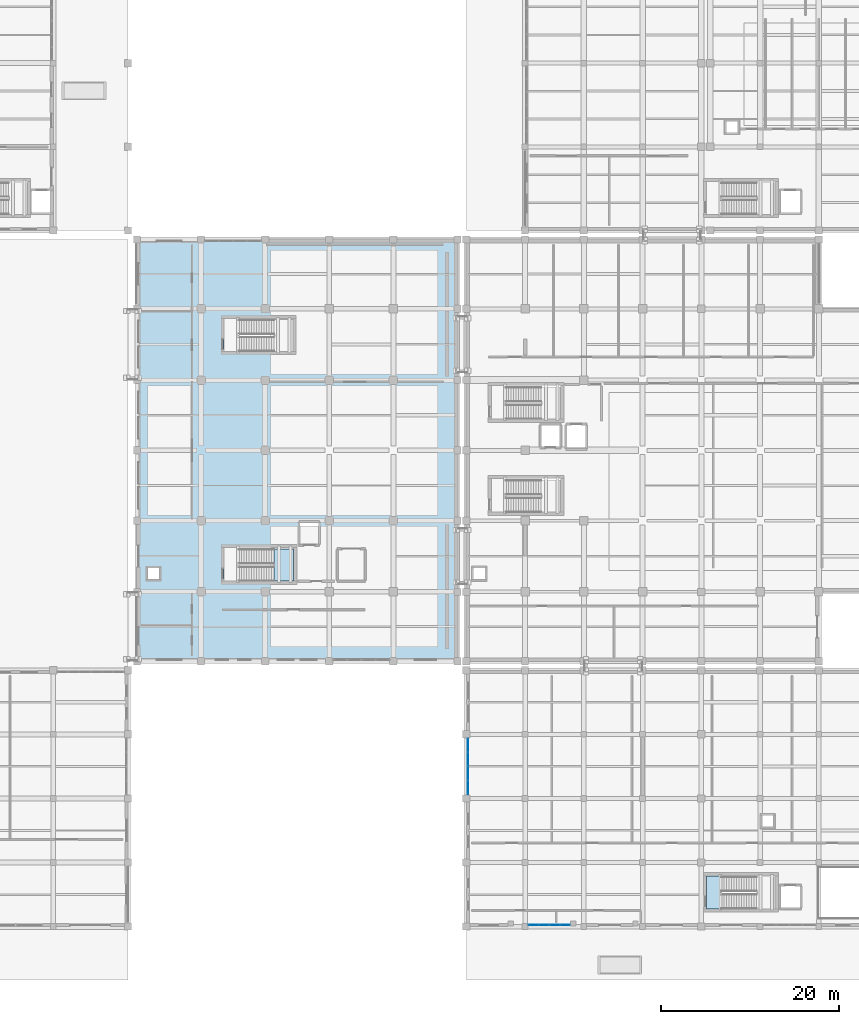
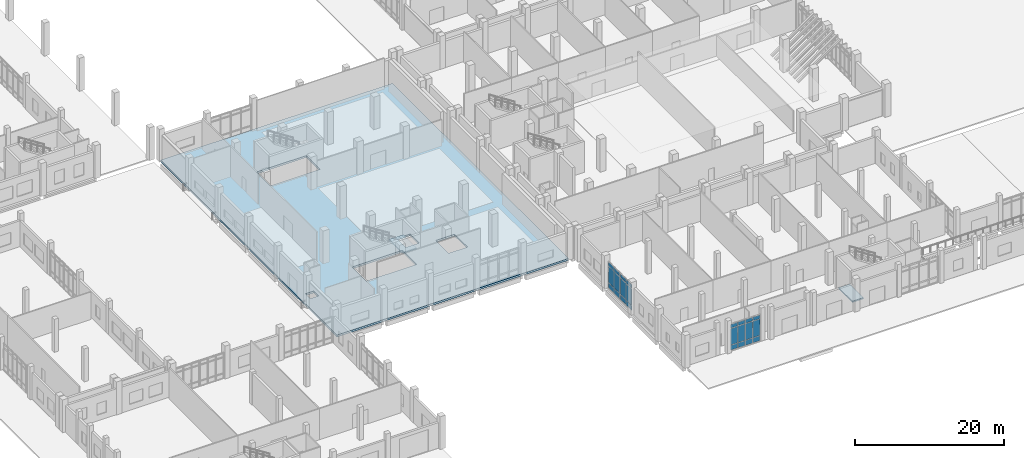
# One storey, part 41 of 79: 24 plates, 3 slabs, 4 elements without a shape of their own.
"""IFC4 building model written with IfcOpenShell, lengths in metres."""

from ifc_helpers import new_model, si_unit, direction, frame, origin, origin_2d, place, context, subcontext, project, spatial, polyline, rectangle, outline, extrude, material, layer, layer_set, type_object, element, aggregate, save


model = new_model("IFC4")

# Units and contexts
model_context = context("Model", 3, precision=1e-05, world=origin(), true_north=direction((0.0, 1.0)))
body_context = subcontext(model_context, "Body", "Model", "MODEL_VIEW")
ifc_project = project(units=[si_unit("LENGTHUNIT", "METRE"), si_unit("AREAUNIT", "SQUARE_METRE"), si_unit("VOLUMEUNIT", "CUBIC_METRE"), si_unit("PLANEANGLEUNIT", "RADIAN"), si_unit("MASSUNIT", "GRAM", prefix="KILO")], contexts=[model_context])

# Site, building, storey
site_placement = place(None, origin())
site = spatial("IfcSite", under=ifc_project, at=site_placement, CompositionType="ELEMENT")
building_placement = place(site_placement, origin())
building = spatial("IfcBuilding", under=site, at=building_placement, Name="Kelarvand Opera House", CompositionType="ELEMENT")
storey_placement = place(building_placement, origin())
storey = spatial("IfcBuildingStorey", under=building, at=storey_placement, Name="L00", CompositionType="ELEMENT", Elevation=0.0)

# Slabs
ifc_material_1 = material(Name="Concrete C35/45", Category="concrete")
ifc_layer_1 = layer(ifc_material_1, 0.219970703125, Name="Concrete C35/45", Category="concrete")
ifc_layer_set_1 = layer_set([ifc_layer_1], Name="Concrete C35/45")
slab_type_1 = type_object("IfcSlabType", Name="Core Stair Entry Landing Slab 220", PredefinedType="LANDING", material=ifc_layer_set_1)
slab_1_placement = place(storey_placement, frame((0.0, 0.0, -0.219970703125)))
element("IfcSlab", 1, at=slab_1_placement, inside=storey, type_object=slab_type_1, Name="C8 Stair Entry Landing L00", PredefinedType="LANDING", context=body_context, shape_type="SweptSolid", body=[
    extrude(outline(polyline([(116.0, 11.0), (117.719970703125, 11.0), (117.719970703125, 14.699951171875), (116.0, 14.699951171875), (116.0, 11.0)])), origin(), (0.0, 0.0, 1.0), 0.219970703125),
])
ifc_material_2 = material(Name="Concrete C40/50", Category="concrete")
ifc_layer_2 = layer(ifc_material_2, 0.320068359375, Name="Concrete C40/50", Category="concrete")
ifc_layer_set_2 = layer_set([ifc_layer_2], Name="Concrete C40/50")
slab_type_2 = type_object("IfcSlabType", Name="Long-Span Hall Floor Slab 320", PredefinedType="FLOOR", material=ifc_layer_set_2)
slab_2_placement = place(storey_placement, frame((0.0, 0.0, -0.320068359375)))
element("IfcSlab", 2, at=slab_2_placement, inside=storey, type_object=slab_type_2, Name="V2 L00 Structural Slab 11", PredefinedType="FLOOR", context=body_context, shape_type="SweptSolid", body=[
    extrude(outline(polyline([(88.0, 38.800048828125), (88.0, 86.199951171875), (52.0, 86.199951171875), (52.0, 38.800048828125), (88.0, 38.800048828125)]), holes=[polyline([(53.199951171875, 49.300048828125), (54.5, 49.300048828125), (54.5, 48.0), (53.199951171875, 48.0), (53.199951171875, 49.300048828125)]), polyline([(74.60009765625, 51.35009765625), (77.550048828125, 51.35009765625), (77.550048828125, 47.89990234375), (74.60009765625, 47.89990234375), (74.60009765625, 51.35009765625)]), polyline([(61.800048828125, 51.60009765625), (69.60009765625, 51.60009765625), (69.60009765625, 47.800048828125), (61.800048828125, 47.800048828125), (61.800048828125, 51.60009765625)]), polyline([(72.39990234375, 54.39990234375), (72.39990234375, 51.949951171875), (70.300048828125, 51.949951171875), (70.300048828125, 54.39990234375), (72.39990234375, 54.39990234375)]), polyline([(69.5, 77.300048828125), (69.5, 73.60009765625), (61.800048828125, 73.60009765625), (61.800048828125, 77.300048828125), (69.5, 77.300048828125)])]), origin(), (0.0, 0.0, 1.0), 0.320068359375),
])

# Curtain wall, plates
ifc_material_3 = material(Name="Thermally broken aluminium and low-E glazing", Category="aluminium")
ifc_layer_3 = layer(ifc_material_3, 0.179931640625, Name="Thermally broken aluminium and low-E glazing", Category="aluminium")
ifc_layer_set_3 = layer_set([ifc_layer_3], Name="Thermally broken aluminium and low-E glazing")
curtain_wall_type_1 = type_object("IfcCurtainWallType", Name="Unitised Low-E Curtain Wall 4755x4350 Mod 1350 CWF-52", PredefinedType="USERDEFINED", material=ifc_layer_set_3)
curtain_wall_1_placement = place(storey_placement, origin())
curtain_wall_1 = element("IfcCurtainWall", 3, at=curtain_wall_1_placement, inside=storey, type_object=curtain_wall_type_1, Name="V6 L00 Curtain Wall CWF-52 (199)", ObjectType="UNITISED CURTAIN WALL", PredefinedType="USERDEFINED")
ifc_material_4 = material(Name="Low-E laminated double glazing", Category="glass")
ifc_layer_4 = layer(ifc_material_4, 0.031982421875, Name="Low-E laminated double glazing", Category="glass")
ifc_layer_set_4 = layer_set([ifc_layer_4], Name="Low-E laminated double glazing")
plate_type = type_object("IfcPlateType", Name="Low-E Argon Double Glazed Curtain Panel 32mm", PredefinedType="CURTAIN_PANEL", material=ifc_layer_set_4)
plate_1_placement = place(storey_placement, frame((100.079345703125, 9.179931640625, 0.06494140625), z_axis=(0.0, 0.0, 1.0), x_axis=(-1.0, 0.0, 0.0)))
plate_1 = element("IfcPlate", 4, at=plate_1_placement, type_object=plate_type, Name="CWF-52 panel 1.1", PredefinedType="CURTAIN_PANEL", context=body_context, shape_type="SweptSolid", body=[
    extrude(rectangle(XDim=1.09130859375, YDim=0.031982421875, at=origin_2d()), origin(), (0.0, 0.0, 1.0), 0.802490234375),
])
plate_2_placement = place(storey_placement, frame((100.079345703125, 9.179931640625, 0.932373046875), z_axis=(0.0, 0.0, 1.0), x_axis=(-1.0, 0.0, 0.0)))
plate_2 = element("IfcPlate", 5, at=plate_2_placement, type_object=plate_type, Name="CWF-52 panel 1.2", PredefinedType="CURTAIN_PANEL", context=body_context, shape_type="SweptSolid", body=[
    extrude(rectangle(XDim=1.09130859375, YDim=0.031982421875, at=origin_2d()), origin(), (0.0, 0.0, 1.0), 2.68505859375),
])
plate_3_placement = place(storey_placement, frame((100.079345703125, 9.179931640625, 3.682373046875), z_axis=(0.0, 0.0, 1.0), x_axis=(-1.0, 0.0, 0.0)))
plate_3 = element("IfcPlate", 6, at=plate_3_placement, type_object=plate_type, Name="CWF-52 panel 1.3", PredefinedType="CURTAIN_PANEL", context=body_context, shape_type="SweptSolid", body=[
    extrude(rectangle(XDim=1.09130859375, YDim=0.031982421875, at=origin_2d()), origin(), (0.0, 0.0, 1.0), 0.6025390625),
])
plate_4_placement = place(storey_placement, frame((98.906982421875, 9.179931640625, 0.06494140625), z_axis=(0.0, 0.0, 1.0), x_axis=(-1.0, 0.0, 0.0)))
plate_4 = element("IfcPlate", 7, at=plate_4_placement, type_object=plate_type, Name="CWF-52 panel 2.1", PredefinedType="CURTAIN_PANEL", context=body_context, shape_type="SweptSolid", body=[
    extrude(rectangle(XDim=1.123779296875, YDim=0.031982421875, at=origin_2d()), origin(), (0.0, 0.0, 1.0), 0.802490234375),
])
plate_5_placement = place(storey_placement, frame((98.906982421875, 9.179931640625, 0.932373046875), z_axis=(0.0, 0.0, 1.0), x_axis=(-1.0, 0.0, 0.0)))
plate_5 = element("IfcPlate", 8, at=plate_5_placement, type_object=plate_type, Name="CWF-52 panel 2.2", PredefinedType="CURTAIN_PANEL", context=body_context, shape_type="SweptSolid", body=[
    extrude(rectangle(XDim=1.123779296875, YDim=0.031982421875, at=origin_2d()), origin(), (0.0, 0.0, 1.0), 2.68505859375),
])
plate_6_placement = place(storey_placement, frame((98.906982421875, 9.179931640625, 3.682373046875), z_axis=(0.0, 0.0, 1.0), x_axis=(-1.0, 0.0, 0.0)))
plate_6 = element("IfcPlate", 9, at=plate_6_placement, type_object=plate_type, Name="CWF-52 panel 2.3", PredefinedType="CURTAIN_PANEL", context=body_context, shape_type="SweptSolid", body=[
    extrude(rectangle(XDim=1.123779296875, YDim=0.031982421875, at=origin_2d()), origin(), (0.0, 0.0, 1.0), 0.6025390625),
])
plate_7_placement = place(storey_placement, frame((97.718017578125, 9.179931640625, 0.06494140625), z_axis=(0.0, 0.0, 1.0), x_axis=(-1.0, 0.0, 0.0)))
plate_7 = element("IfcPlate", 10, at=plate_7_placement, type_object=plate_type, Name="CWF-52 panel 3.1", PredefinedType="CURTAIN_PANEL", context=body_context, shape_type="SweptSolid", body=[
    extrude(rectangle(XDim=1.123779296875, YDim=0.031982421875, at=origin_2d()), origin(), (0.0, 0.0, 1.0), 0.802490234375),
])
plate_8_placement = place(storey_placement, frame((97.718017578125, 9.179931640625, 0.932373046875), z_axis=(0.0, 0.0, 1.0), x_axis=(-1.0, 0.0, 0.0)))
plate_8 = element("IfcPlate", 11, at=plate_8_placement, type_object=plate_type, Name="CWF-52 panel 3.2", PredefinedType="CURTAIN_PANEL", context=body_context, shape_type="SweptSolid", body=[
    extrude(rectangle(XDim=1.123779296875, YDim=0.031982421875, at=origin_2d()), origin(), (0.0, 0.0, 1.0), 2.68505859375),
])
plate_9_placement = place(storey_placement, frame((97.718017578125, 9.179931640625, 3.682373046875), z_axis=(0.0, 0.0, 1.0), x_axis=(-1.0, 0.0, 0.0)))
plate_9 = element("IfcPlate", 12, at=plate_9_placement, type_object=plate_type, Name="CWF-52 panel 3.3", PredefinedType="CURTAIN_PANEL", context=body_context, shape_type="SweptSolid", body=[
    extrude(rectangle(XDim=1.123779296875, YDim=0.031982421875, at=origin_2d()), origin(), (0.0, 0.0, 1.0), 0.6025390625),
])
plate_10_placement = place(storey_placement, frame((96.545654296875, 9.179931640625, 0.06494140625), z_axis=(0.0, 0.0, 1.0), x_axis=(-1.0, 0.0, 0.0)))
plate_10 = element("IfcPlate", 13, at=plate_10_placement, type_object=plate_type, Name="CWF-52 panel 4.1", PredefinedType="CURTAIN_PANEL", context=body_context, shape_type="SweptSolid", body=[
    extrude(rectangle(XDim=1.09130859375, YDim=0.031982421875, at=origin_2d()), origin(), (0.0, 0.0, 1.0), 0.802490234375),
])
plate_11_placement = place(storey_placement, frame((96.545654296875, 9.179931640625, 0.932373046875), z_axis=(0.0, 0.0, 1.0), x_axis=(-1.0, 0.0, 0.0)))
plate_11 = element("IfcPlate", 14, at=plate_11_placement, type_object=plate_type, Name="CWF-52 panel 4.2", PredefinedType="CURTAIN_PANEL", context=body_context, shape_type="SweptSolid", body=[
    extrude(rectangle(XDim=1.09130859375, YDim=0.031982421875, at=origin_2d()), origin(), (0.0, 0.0, 1.0), 2.68505859375),
])
plate_12_placement = place(storey_placement, frame((96.545654296875, 9.179931640625, 3.682373046875), z_axis=(0.0, 0.0, 1.0), x_axis=(-1.0, 0.0, 0.0)))
plate_12 = element("IfcPlate", 15, at=plate_12_placement, type_object=plate_type, Name="CWF-52 panel 4.3", PredefinedType="CURTAIN_PANEL", context=body_context, shape_type="SweptSolid", body=[
    extrude(rectangle(XDim=1.09130859375, YDim=0.031982421875, at=origin_2d()), origin(), (0.0, 0.0, 1.0), 0.6025390625),
])
aggregate(curtain_wall_1, [plate_1, plate_2, plate_3, plate_4, plate_5, plate_6, plate_7, plate_8, plate_9, plate_10, plate_11, plate_12])

ifc_layer_5 = layer(ifc_material_3, 0.179931640625, Name="Thermally broken aluminium and low-E glazing", Category="aluminium")
ifc_layer_set_5 = layer_set([ifc_layer_5], Name="Thermally broken aluminium and low-E glazing")
curtain_wall_type_2 = type_object("IfcCurtainWallType", Name="Unitised Low-E Curtain Wall 3176x4350 Mod 1350 CWF-09", PredefinedType="USERDEFINED", material=ifc_layer_set_5)
curtain_wall_2_placement = place(storey_placement, origin())
curtain_wall_2 = element("IfcCurtainWall", 16, at=curtain_wall_2_placement, inside=storey, type_object=curtain_wall_type_2, Name="V6 L00 Curtain Wall CWF-09 (200)", ObjectType="UNITISED CURTAIN WALL", PredefinedType="USERDEFINED")
plate_13_placement = place(storey_placement, frame((89.179931640625, 24.63037109375, 0.06494140625), z_axis=(0.0, 0.0, 1.0), x_axis=(0.0, 1.0, 0.0)))
plate_13 = element("IfcPlate", 17, at=plate_13_placement, type_object=plate_type, Name="CWF-09 panel 1.1", PredefinedType="CURTAIN_PANEL", context=body_context, shape_type="SweptSolid", body=[
    extrude(rectangle(XDim=1.490478515625, YDim=0.031982421875, at=origin_2d()), origin(), (0.0, 0.0, 1.0), 0.802490234375),
])
plate_14_placement = place(storey_placement, frame((89.179931640625, 24.63037109375, 0.932373046875), z_axis=(0.0, 0.0, 1.0), x_axis=(0.0, 1.0, 0.0)))
plate_14 = element("IfcPlate", 18, at=plate_14_placement, type_object=plate_type, Name="CWF-09 panel 1.2", PredefinedType="CURTAIN_PANEL", context=body_context, shape_type="SweptSolid", body=[
    extrude(rectangle(XDim=1.490478515625, YDim=0.031982421875, at=origin_2d()), origin(), (0.0, 0.0, 1.0), 2.68505859375),
])
plate_15_placement = place(storey_placement, frame((89.179931640625, 24.63037109375, 3.682373046875), z_axis=(0.0, 0.0, 1.0), x_axis=(0.0, 1.0, 0.0)))
plate_15 = element("IfcPlate", 19, at=plate_15_placement, type_object=plate_type, Name="CWF-09 panel 1.3", PredefinedType="CURTAIN_PANEL", context=body_context, shape_type="SweptSolid", body=[
    extrude(rectangle(XDim=1.490478515625, YDim=0.031982421875, at=origin_2d()), origin(), (0.0, 0.0, 1.0), 0.6025390625),
])
plate_16_placement = place(storey_placement, frame((89.179931640625, 26.185791015625, 0.06494140625), z_axis=(0.0, 0.0, 1.0), x_axis=(0.0, 1.0, 0.0)))
plate_16 = element("IfcPlate", 20, at=plate_16_placement, type_object=plate_type, Name="CWF-09 panel 2.1", PredefinedType="CURTAIN_PANEL", context=body_context, shape_type="SweptSolid", body=[
    extrude(rectangle(XDim=1.490478515625, YDim=0.031982421875, at=origin_2d()), origin(), (0.0, 0.0, 1.0), 0.802490234375),
])
plate_17_placement = place(storey_placement, frame((89.179931640625, 26.185791015625, 0.932373046875), z_axis=(0.0, 0.0, 1.0), x_axis=(0.0, 1.0, 0.0)))
plate_17 = element("IfcPlate", 21, at=plate_17_placement, type_object=plate_type, Name="CWF-09 panel 2.2", PredefinedType="CURTAIN_PANEL", context=body_context, shape_type="SweptSolid", body=[
    extrude(rectangle(XDim=1.490478515625, YDim=0.031982421875, at=origin_2d()), origin(), (0.0, 0.0, 1.0), 2.68505859375),
])
plate_18_placement = place(storey_placement, frame((89.179931640625, 26.185791015625, 3.682373046875), z_axis=(0.0, 0.0, 1.0), x_axis=(0.0, 1.0, 0.0)))
plate_18 = element("IfcPlate", 22, at=plate_18_placement, type_object=plate_type, Name="CWF-09 panel 2.3", PredefinedType="CURTAIN_PANEL", context=body_context, shape_type="SweptSolid", body=[
    extrude(rectangle(XDim=1.490478515625, YDim=0.031982421875, at=origin_2d()), origin(), (0.0, 0.0, 1.0), 0.6025390625),
])
aggregate(curtain_wall_2, [plate_13, plate_14, plate_15, plate_16, plate_17, plate_18])

curtain_wall_3_placement = place(storey_placement, origin())
curtain_wall_3 = element("IfcCurtainWall", 23, at=curtain_wall_3_placement, inside=storey, type_object=curtain_wall_type_2, Name="V6 L00 Curtain Wall CWF-09 (201)", ObjectType="UNITISED CURTAIN WALL", PredefinedType="USERDEFINED")
plate_19_placement = place(storey_placement, frame((89.179931640625, 27.811279296875, 0.06494140625), z_axis=(0.0, 0.0, 1.0), x_axis=(0.0, 1.0, 0.0)))
plate_19 = element("IfcPlate", 24, at=plate_19_placement, type_object=plate_type, Name="CWF-09 panel 1.1", PredefinedType="CURTAIN_PANEL", context=body_context, shape_type="SweptSolid", body=[
    extrude(rectangle(XDim=1.492431640625, YDim=0.031982421875, at=origin_2d()), origin(), (0.0, 0.0, 1.0), 0.802490234375),
])
plate_20_placement = place(storey_placement, frame((89.179931640625, 27.811279296875, 0.932373046875), z_axis=(0.0, 0.0, 1.0), x_axis=(0.0, 1.0, 0.0)))
plate_20 = element("IfcPlate", 25, at=plate_20_placement, type_object=plate_type, Name="CWF-09 panel 1.2", PredefinedType="CURTAIN_PANEL", context=body_context, shape_type="SweptSolid", body=[
    extrude(rectangle(XDim=1.492431640625, YDim=0.031982421875, at=origin_2d()), origin(), (0.0, 0.0, 1.0), 2.68505859375),
])
plate_21_placement = place(storey_placement, frame((89.179931640625, 27.811279296875, 3.682373046875), z_axis=(0.0, 0.0, 1.0), x_axis=(0.0, 1.0, 0.0)))
plate_21 = element("IfcPlate", 26, at=plate_21_placement, type_object=plate_type, Name="CWF-09 panel 1.3", PredefinedType="CURTAIN_PANEL", context=body_context, shape_type="SweptSolid", body=[
    extrude(rectangle(XDim=1.492431640625, YDim=0.031982421875, at=origin_2d()), origin(), (0.0, 0.0, 1.0), 0.6025390625),
])
plate_22_placement = place(storey_placement, frame((89.179931640625, 29.36865234375, 0.06494140625), z_axis=(0.0, 0.0, 1.0), x_axis=(0.0, 1.0, 0.0)))
plate_22 = element("IfcPlate", 27, at=plate_22_placement, type_object=plate_type, Name="CWF-09 panel 2.1", PredefinedType="CURTAIN_PANEL", context=body_context, shape_type="SweptSolid", body=[
    extrude(rectangle(XDim=1.492431640625, YDim=0.031982421875, at=origin_2d()), origin(), (0.0, 0.0, 1.0), 0.802490234375),
])
plate_23_placement = place(storey_placement, frame((89.179931640625, 29.36865234375, 0.932373046875), z_axis=(0.0, 0.0, 1.0), x_axis=(0.0, 1.0, 0.0)))
plate_23 = element("IfcPlate", 28, at=plate_23_placement, type_object=plate_type, Name="CWF-09 panel 2.2", PredefinedType="CURTAIN_PANEL", context=body_context, shape_type="SweptSolid", body=[
    extrude(rectangle(XDim=1.492431640625, YDim=0.031982421875, at=origin_2d()), origin(), (0.0, 0.0, 1.0), 2.68505859375),
])
plate_24_placement = place(storey_placement, frame((89.179931640625, 29.36865234375, 3.682373046875), z_axis=(0.0, 0.0, 1.0), x_axis=(0.0, 1.0, 0.0)))
plate_24 = element("IfcPlate", 29, at=plate_24_placement, type_object=plate_type, Name="CWF-09 panel 2.3", PredefinedType="CURTAIN_PANEL", context=body_context, shape_type="SweptSolid", body=[
    extrude(rectangle(XDim=1.492431640625, YDim=0.031982421875, at=origin_2d()), origin(), (0.0, 0.0, 1.0), 0.6025390625),
])
aggregate(curtain_wall_3, [plate_19, plate_20, plate_21, plate_22, plate_23, plate_24])

# Stair, slab
stair_type = type_object("IfcStairType", Name="Dogleg Concrete Exit Stair 1660mm 30R STA-02", PredefinedType="HALF_TURN_STAIR", material=ifc_material_1)
stair_placement = place(storey_placement, origin())
stair = element("IfcStair", 30, at=stair_placement, inside=storey, type_object=stair_type, Name="L00 Stage House South Firefighting and Goods Core C2 Stair ST-02", PredefinedType="HALF_TURN_STAIR")
ifc_layer_6 = layer(ifc_material_1, 0.199951171875, Name="Concrete C35/45", Category="concrete")
ifc_layer_set_6 = layer_set([ifc_layer_6], Name="Concrete C35/45")
slab_type_3 = type_object("IfcSlabType", Name="Precast Stair Half-Landing Slab 200", PredefinedType="LANDING", material=ifc_layer_set_6)
slab_3_placement = place(storey_placement, frame((0.0, 0.0, 2.5)))
slab_3 = element("IfcSlab", 31, at=slab_3_placement, type_object=slab_type_3, Name="ST-02 landing 1", PredefinedType="LANDING", context=body_context, shape_type="SweptSolid", body=[
    extrude(outline(polyline([(67.3798828125, 47.800048828125), (69.60009765625, 47.800048828125), (69.60009765625, 51.39990234375), (67.3798828125, 51.39990234375), (67.3798828125, 47.800048828125)])), origin(), (0.0, 0.0, 1.0), 0.199951171875),
])
aggregate(stair, [slab_3])

save(model, "model.ifc")
